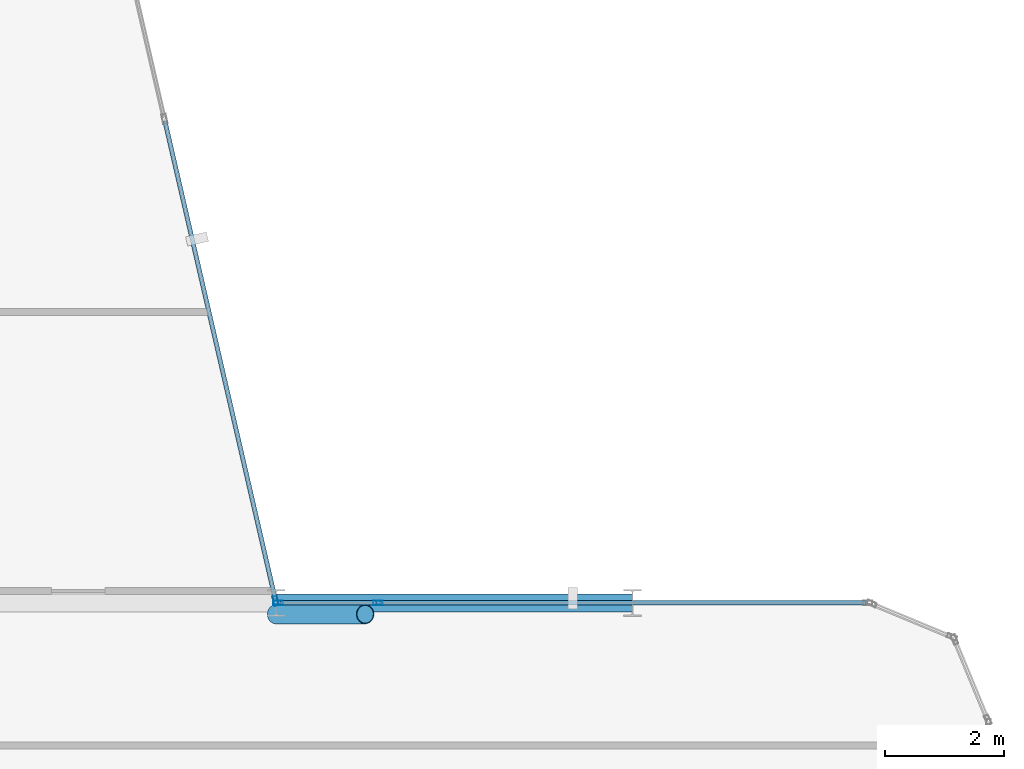
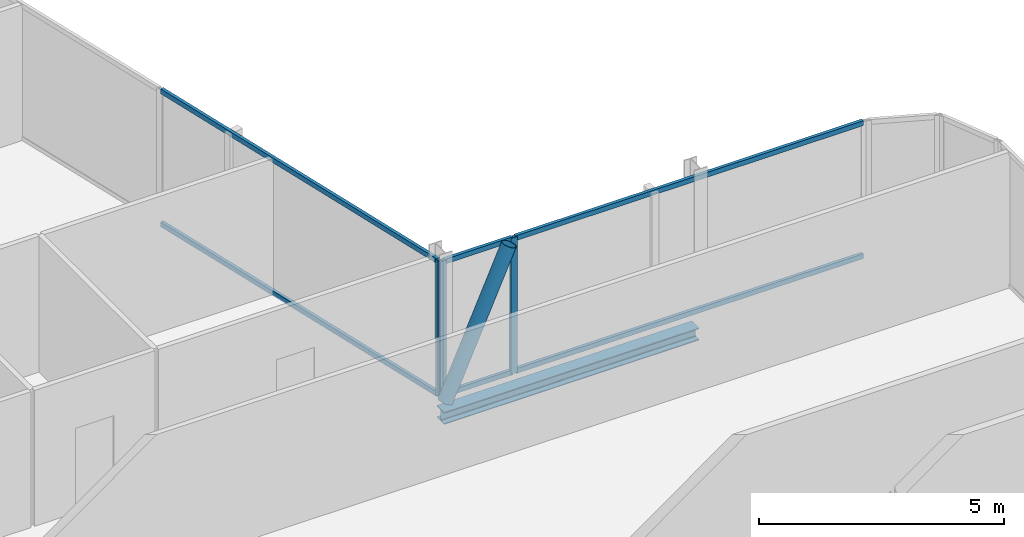
# One storey, part 14 of 29: 10 members, 1 beam, 3 elements without a shape of their own.
"""IFC4 building model written with IfcOpenShell, lengths in metres."""

from ifc_helpers import new_model, si_unit, direction, frame, origin, origin_2d, place, context, subcontext, project, spatial, hollow_rectangle, hollow_circle, i_section, extrude, material, layer, layer_set, material_profile, profile_set, type_object, element, aggregate, save


model = new_model("IFC4")

# Units and contexts
model_context = context("Model", 3, precision=1e-05, world=origin(), true_north=direction((0.0, 1.0)))
body_context = subcontext(model_context, "Body", "Model", "MODEL_VIEW")
ifc_project = project(units=[si_unit("LENGTHUNIT", "METRE"), si_unit("AREAUNIT", "SQUARE_METRE"), si_unit("VOLUMEUNIT", "CUBIC_METRE"), si_unit("PLANEANGLEUNIT", "RADIAN"), si_unit("MASSUNIT", "GRAM", prefix="KILO")], contexts=[model_context])

# Site, building, storey
site_placement = place(None, origin())
site = spatial("IfcSite", under=ifc_project, at=site_placement, CompositionType="ELEMENT")
building_placement = place(site_placement, origin())
building = spatial("IfcBuilding", under=site, at=building_placement, Name="Keshet Zoharim Tower", CompositionType="ELEMENT")
storey_placement = place(building_placement, frame((0.0, 0.0, 180.199951171875)))
storey = spatial("IfcBuildingStorey", under=building, at=storey_placement, Name="L44", CompositionType="ELEMENT", Elevation=180.199951171875)

# Beam
ifc_material_1 = material(Name="Steel S355", Category="steel")
ifc_material_profile_1 = material_profile(ifc_material_1, i_section(OverallWidth=0.300048828125, OverallDepth=0.300048828125, WebThickness=0.010986328125, FlangeThickness=0.01904296875, FilletRadius=0.027099609375, at=origin_2d()), Name="HEB300")
ifc_profile_set_1 = profile_set([ifc_material_profile_1], Name="Steel S355")
beam_type = type_object("IfcBeamType", Name="BM-PRI-HB300", PredefinedType="BEAM", material=ifc_profile_set_1)
beam_placement = place(storey_placement, frame((45.0, 27.89990234375, -0.4599609375), z_axis=(1.0, 0.0, 0.0), x_axis=(0.0, 1.0, 0.0)))
element("IfcBeam", 1, at=beam_placement, inside=storey, type_object=beam_type, Name="L44 Primary Girder X-016", PredefinedType="BEAM", context=body_context, shape_type="SweptSolid", body=[
    extrude(i_section(OverallWidth=0.300048828125, OverallDepth=0.300048828125, WebThickness=0.010986328125, FlangeThickness=0.01904296875, FilletRadius=0.027099609375, at=origin_2d()), origin(), (0.0, 0.0, 1.0), 6.0),
])

# Curtain wall, member
ifc_material_2 = material(Name="Aluminium 6063-T6", Category="aluminium")
ifc_layer = layer(ifc_material_2, 0.139892578125)
ifc_layer_set = layer_set([ifc_layer], Name="Aluminium 6063-T6")
curtain_wall_type = type_object("IfcCurtainWallType", Name="CW-SYS-05", PredefinedType="NOTDEFINED", material=ifc_layer_set)
curtain_wall_1_placement = place(storey_placement, origin())
curtain_wall_1 = element("IfcCurtainWall", 2, at=curtain_wall_1_placement, inside=storey, type_object=curtain_wall_type, Name="L44 Unitised Curtain Wall 19", PredefinedType="NOTDEFINED")
ifc_material_profile_2 = material_profile(ifc_material_2, hollow_rectangle(XDim=0.074951171875, YDim=0.159912109375, WallThickness=0.00390625, at=origin_2d()), Name="MUL-75x160")
ifc_profile_set_2 = profile_set([ifc_material_profile_2], Name="Aluminium 6063-T6")
member_type_1 = type_object("IfcMemberType", Name="CWM-M15", PredefinedType="MULLION", material=ifc_profile_set_2)
member_1_placement = place(storey_placement, frame((44.9921875, 27.93408203125, 0.0), z_axis=(0.0, 0.0, 1.0), x_axis=(0.974393882313, 0.224847864369, 0.0)))
member_1 = element("IfcMember", 3, at=member_1_placement, type_object=member_type_1, Name="CW-05 mullion 4", PredefinedType="MULLION", context=body_context, shape_type="SweptSolid", body=[
    extrude(hollow_rectangle(XDim=0.074951171875, YDim=0.159912109375, WallThickness=0.00390625, at=origin_2d()), origin(), (0.0, 0.0, 1.0), 3.380126953125),
])

# Curtain wall, members
curtain_wall_2_placement = place(storey_placement, origin())
curtain_wall_2 = element("IfcCurtainWall", 4, at=curtain_wall_2_placement, inside=storey, type_object=curtain_wall_type, Name="L44 Unitised Curtain Wall 20", PredefinedType="NOTDEFINED")
member_2_placement = place(storey_placement, frame((45.034912109375, 27.89990234375, 0.0), z_axis=(0.0, 0.0, 1.0), x_axis=(0.0, 1.0, 0.0)))
member_2 = element("IfcMember", 5, at=member_2_placement, type_object=member_type_1, Name="CW-05 mullion 1", PredefinedType="MULLION", context=body_context, shape_type="SweptSolid", body=[
    extrude(hollow_rectangle(XDim=0.074951171875, YDim=0.159912109375, WallThickness=0.00390625, at=origin_2d()), origin(), (0.0, 0.0, 1.0), 3.380126953125),
])
member_3_placement = place(storey_placement, frame((46.712890625, 27.89990234375, 0.0), z_axis=(0.0, 0.0, 1.0), x_axis=(0.0, 1.0, 0.0)))
member_3 = element("IfcMember", 6, at=member_3_placement, type_object=member_type_1, Name="CW-05 mullion 2", PredefinedType="MULLION", context=body_context, shape_type="SweptSolid", body=[
    extrude(hollow_rectangle(XDim=0.074951171875, YDim=0.159912109375, WallThickness=0.00390625, at=origin_2d()), origin(), (0.0, 0.0, 1.0), 3.380126953125),
])

# Member
ifc_material_profile_3 = material_profile(ifc_material_2, hollow_rectangle(XDim=0.074951171875, YDim=0.1201171875, WallThickness=0.00390625, at=origin_2d()), Name="TRN-75x120")
ifc_profile_set_3 = profile_set([ifc_material_profile_3], Name="Aluminium 6063-T6")
member_type_2 = type_object("IfcMemberType", Name="CWT-T12", PredefinedType="USERDEFINED", material=ifc_profile_set_3)
member_4_placement = place(storey_placement, frame((43.127197265625, 36.015869140625, 0.03515625), z_axis=(0.224863824467, -0.974390199277, 0.0), x_axis=(0.974390199277, 0.224863824467, 0.0)))
member_4 = element("IfcMember", 7, at=member_4_placement, type_object=member_type_2, Name="CW-05 transom 3.1", ObjectType="TRANSOM", PredefinedType="USERDEFINED", context=body_context, shape_type="SweptSolid", body=[
    extrude(hollow_rectangle(XDim=0.074951171875, YDim=0.1201171875, WallThickness=0.00390625, at=origin_2d()), origin(), (0.0, 0.0, 1.0), 8.259033203125),
])

member_5_placement = place(storey_placement, frame((43.127197265625, 36.015869140625, 3.344970703125), z_axis=(0.224863824467, -0.974390199277, 0.0), x_axis=(0.974390199277, 0.224863824467, 0.0)))
member_5 = element("IfcMember", 8, at=member_5_placement, type_object=member_type_2, Name="CW-05 transom 3.2", ObjectType="TRANSOM", PredefinedType="USERDEFINED", context=body_context, shape_type="SweptSolid", body=[
    extrude(hollow_rectangle(XDim=0.074951171875, YDim=0.1201171875, WallThickness=0.00390625, at=origin_2d()), origin(), (0.0, 0.0, 1.0), 8.259033203125),
])

aggregate(curtain_wall_1, [member_1, member_4, member_5])

member_6_placement = place(storey_placement, frame((45.070068359375, 27.89990234375, 0.03515625), z_axis=(1.0, 0.0, 0.0), x_axis=(0.0, 1.0, 0.0)))
member_6 = element("IfcMember", 9, at=member_6_placement, type_object=member_type_2, Name="CW-05 transom 1.1", ObjectType="TRANSOM", PredefinedType="USERDEFINED", context=body_context, shape_type="SweptSolid", body=[
    extrude(hollow_rectangle(XDim=0.074951171875, YDim=0.1201171875, WallThickness=0.00390625, at=origin_2d()), origin(), (0.0, 0.0, 1.0), 1.60791015625),
])

member_7_placement = place(storey_placement, frame((45.070068359375, 27.89990234375, 3.344970703125), z_axis=(1.0, 0.0, 0.0), x_axis=(0.0, 1.0, 0.0)))
member_7 = element("IfcMember", 10, at=member_7_placement, type_object=member_type_2, Name="CW-05 transom 1.2", ObjectType="TRANSOM", PredefinedType="USERDEFINED", context=body_context, shape_type="SweptSolid", body=[
    extrude(hollow_rectangle(XDim=0.074951171875, YDim=0.1201171875, WallThickness=0.00390625, at=origin_2d()), origin(), (0.0, 0.0, 1.0), 1.60791015625),
])

aggregate(curtain_wall_2, [member_2, member_3, member_6, member_7])

# Curtain wall, members
curtain_wall_3_placement = place(storey_placement, origin())
curtain_wall_3 = element("IfcCurtainWall", 11, at=curtain_wall_3_placement, inside=storey, type_object=curtain_wall_type, Name="L44 Unitised Curtain Wall 20 Part 2", PredefinedType="NOTDEFINED")
member_8_placement = place(storey_placement, frame((46.748046875, 27.89990234375, 0.03515625), z_axis=(1.0, 0.0, 0.0), x_axis=(0.0, 1.0, 0.0)))
member_8 = element("IfcMember", 12, at=member_8_placement, type_object=member_type_2, Name="CW-05 transom 1.1", ObjectType="TRANSOM", PredefinedType="USERDEFINED", context=body_context, shape_type="SweptSolid", body=[
    extrude(hollow_rectangle(XDim=0.074951171875, YDim=0.1201171875, WallThickness=0.00390625, at=origin_2d()), origin(), (0.0, 0.0, 1.0), 8.181884765625),
])
member_9_placement = place(storey_placement, frame((46.748046875, 27.89990234375, 3.344970703125), z_axis=(1.0, 0.0, 0.0), x_axis=(0.0, 1.0, 0.0)))
member_9 = element("IfcMember", 13, at=member_9_placement, type_object=member_type_2, Name="CW-05 transom 1.2", ObjectType="TRANSOM", PredefinedType="USERDEFINED", context=body_context, shape_type="SweptSolid", body=[
    extrude(hollow_rectangle(XDim=0.074951171875, YDim=0.1201171875, WallThickness=0.00390625, at=origin_2d()), origin(), (0.0, 0.0, 1.0), 8.181884765625),
])
aggregate(curtain_wall_3, [member_8, member_9])

# Member
ifc_material_profile_4 = material_profile(ifc_material_1, hollow_circle(Radius=0.161865234375, WallThickness=0.012451171875, at=origin_2d()), Name="CHS323x12.5")
ifc_profile_set_4 = profile_set([ifc_material_profile_4], Name="Steel S355")
member_type_3 = type_object("IfcMemberType", Name="MB-BR-C323", PredefinedType="BRACE", material=ifc_profile_set_4)
member_10_placement = place(storey_placement, frame((45.0, 27.7099609375, 0.0), z_axis=(0.405623857875, 0.0, 0.914040089888), x_axis=(0.0, 1.0, 0.0)))
element("IfcMember", 14, at=member_10_placement, inside=storey, type_object=member_type_3, Name="L44 Perimeter Tube Brace 04", PredefinedType="BRACE", context=body_context, shape_type="SweptSolid", body=[
    extrude(hollow_circle(Radius=0.161865234375, WallThickness=0.012451171875, at=origin_2d()), origin(), (0.0, 0.0, 1.0), 3.697998046875),
])

save(model, "model.ifc")
